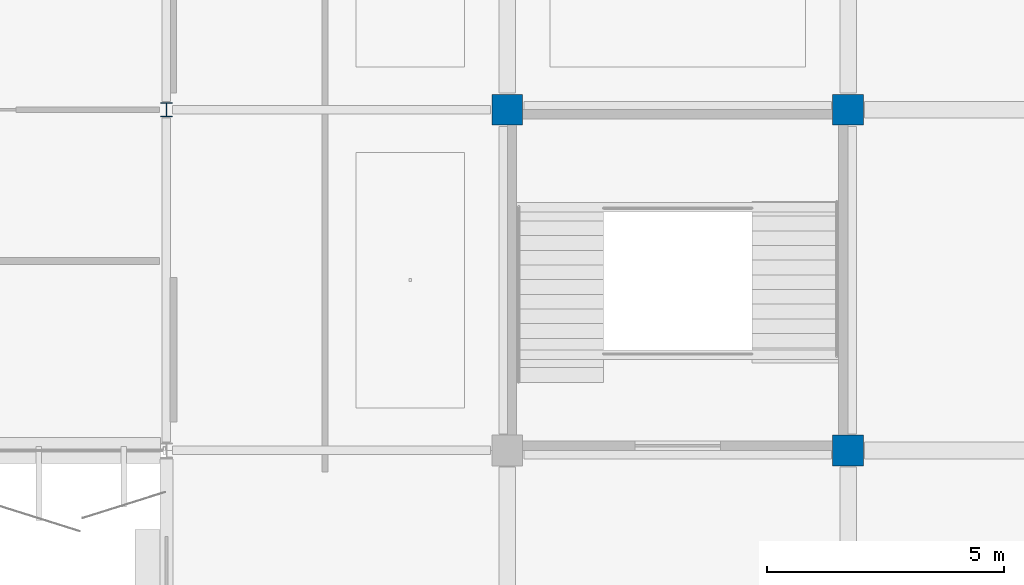
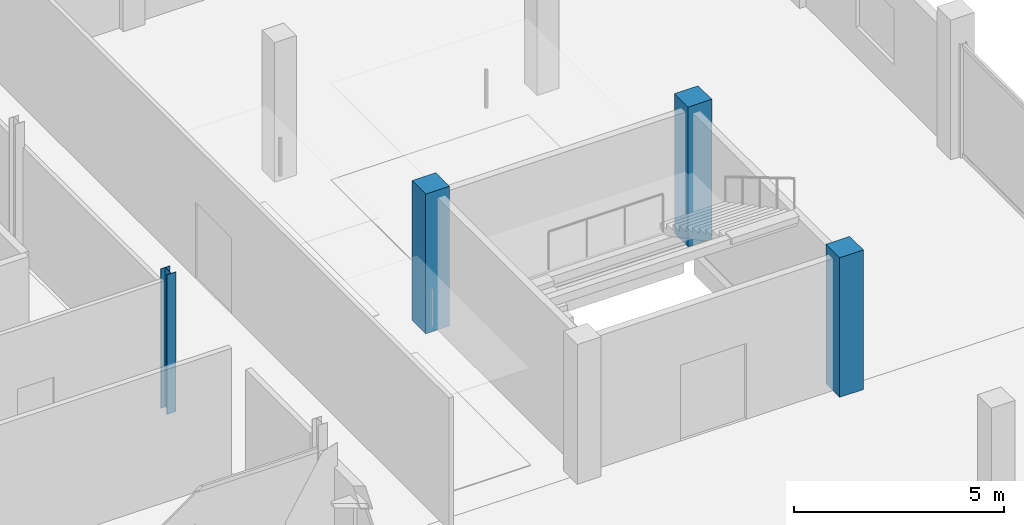
# One storey, part 6 of 77: 4 columns.
"""IFC4 building model written with IfcOpenShell, lengths in metres."""

from ifc_helpers import new_model, si_unit, direction, frame, origin, origin_2d, place, context, subcontext, project, spatial, rectangle, i_section, extrude, material, material_profile, profile_set, type_object, element, save


model = new_model("IFC4")

# Units and contexts
model_context = context("Model", 3, precision=1e-05, world=origin(), true_north=direction((0.0, 1.0)))
body_context = subcontext(model_context, "Body", "Model", "MODEL_VIEW")
ifc_project = project(units=[si_unit("LENGTHUNIT", "METRE"), si_unit("AREAUNIT", "SQUARE_METRE"), si_unit("VOLUMEUNIT", "CUBIC_METRE"), si_unit("PLANEANGLEUNIT", "RADIAN"), si_unit("MASSUNIT", "GRAM", prefix="KILO")], contexts=[model_context])

# Site, building, storey
site_placement = place(None, origin())
site = spatial("IfcSite", under=ifc_project, at=site_placement, CompositionType="ELEMENT")
building_placement = place(site_placement, origin())
building = spatial("IfcBuilding", under=site, at=building_placement, Name="Kangsadwip Square Police Headquarters", CompositionType="ELEMENT")
storey_placement = place(building_placement, frame((0.0, 0.0, 17.550048828125)))
storey = spatial("IfcBuildingStorey", under=building, at=storey_placement, Name="L04", CompositionType="ELEMENT", Elevation=17.550048828125)

# Columns
ifc_material_1 = material(Name="Concrete M40 (40 MPa)", Category="concrete")
ifc_material_profile_1 = material_profile(ifc_material_1, rectangle(XDim=0.64990234375, YDim=0.64990234375, at=origin_2d()), Name="RC COL 650X650")
ifc_profile_set_1 = profile_set([ifc_material_profile_1], Name="Concrete M40 (40 MPa)")
column_type_1 = type_object("IfcColumnType", Name="RcCol650x650", PredefinedType="COLUMN", material=ifc_profile_set_1)
for number, where, z_axis, x_axis, name in (
    (1, (151.199951171875, 100.800048828125, 0.0), (0.0, 0.0, 1.0), (1.0, 0.0, 0.0), "Column COL-L04-21-14"),
    (2, (158.39990234375, 93.60009765625, 0.0), (0.0, 0.0, 1.0), (1.0, 0.0, 0.0), "Column COL-L04-22-13"),
    (3, (158.39990234375, 100.800048828125, 0.0), (0.0, 0.0, 1.0), (1.0, 0.0, 0.0), "Column COL-L04-22-14"),
):
    element("IfcColumn", number, at=place(storey_placement, frame(where, z_axis=z_axis, x_axis=x_axis)), inside=storey, type_object=column_type_1, Name=name, PredefinedType="COLUMN", context=body_context, shape_type="SweptSolid", body=[
        extrude(rectangle(XDim=0.64990234375, YDim=0.64990234375, at=origin_2d()), origin(), (0.0, 0.0, 1.0), 4.050048828125),
    ])
ifc_material_2 = material(Name="Structural steel IS 2062 E350 (Grade 350, 350 MPa)", Category="steel")
ifc_material_profile_2 = material_profile(ifc_material_2, i_section(OverallWidth=0.25, OverallDepth=0.300048828125, WebThickness=0.009521484375, FlangeThickness=0.010498046875, at=origin_2d()), Name="ISHB 300")
ifc_profile_set_2 = profile_set([ifc_material_profile_2], Name="Structural steel IS 2062 E350 (Grade 350, 350 MPa)")
column_type_2 = type_object("IfcColumnType", Name="SteelColIshb300", PredefinedType="COLUMN", material=ifc_profile_set_2)
column_placement = place(storey_placement, frame((144.0, 100.800048828125, 0.0), z_axis=(0.0, 0.0, 1.0), x_axis=(1.0, 0.0, 0.0)))
element("IfcColumn", 4, at=column_placement, inside=storey, type_object=column_type_2, Name="Column COL-L04-20-14", PredefinedType="COLUMN", context=body_context, shape_type="SweptSolid", body=[
    extrude(i_section(OverallWidth=0.25, OverallDepth=0.300048828125, WebThickness=0.009521484375, FlangeThickness=0.010498046875, at=origin_2d()), origin(), (0.0, 0.0, 1.0), 4.050048828125),
])

save(model, "model.ifc")
